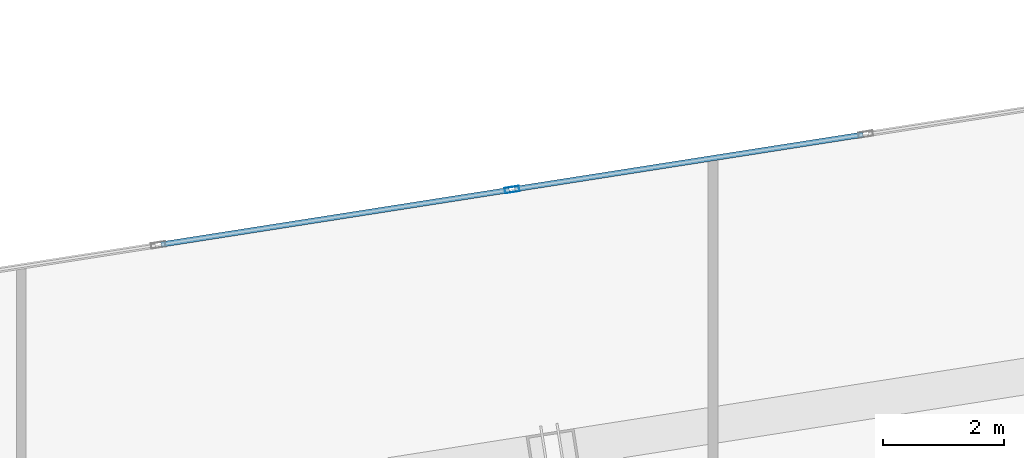
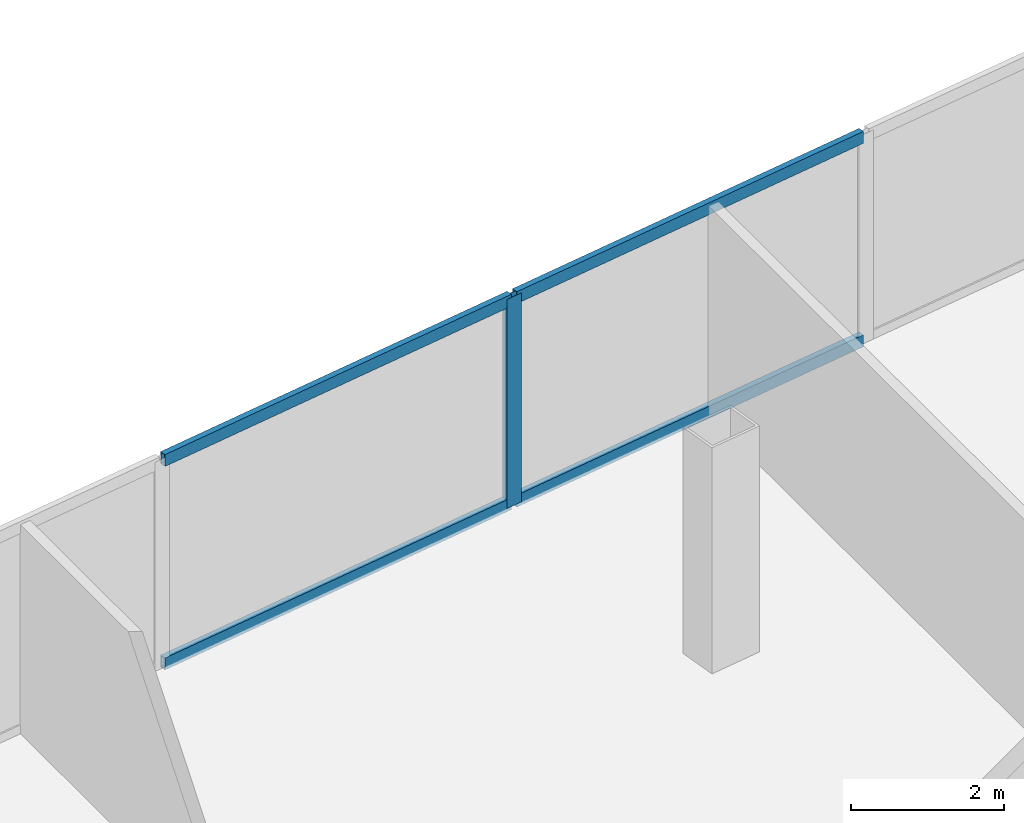
# One storey, part 11 of 17: 5 members, 1 element without a shape of its own.
"""IFC4 building model written with IfcOpenShell, lengths in metres."""

from ifc_helpers import new_model, si_unit, direction, frame, origin, origin_2d, place, context, subcontext, project, spatial, hollow_rectangle, extrude, material, material_profile, profile_set, type_object, element, aggregate, save


model = new_model("IFC4")

# Units and contexts
model_context = context("Model", 3, precision=1e-05, world=origin(), true_north=direction((0.0, 1.0)))
body_context = subcontext(model_context, "Body", "Model", "MODEL_VIEW")
ifc_project = project(units=[si_unit("LENGTHUNIT", "METRE"), si_unit("AREAUNIT", "SQUARE_METRE"), si_unit("VOLUMEUNIT", "CUBIC_METRE"), si_unit("PLANEANGLEUNIT", "RADIAN"), si_unit("MASSUNIT", "GRAM", prefix="KILO")], contexts=[model_context])

# Site, building, storey
site_placement = place(None, origin())
site = spatial("IfcSite", under=ifc_project, at=site_placement, CompositionType="ELEMENT")
building_placement = place(site_placement, origin())
building = spatial("IfcBuilding", under=site, at=building_placement, Name="Haldenkirk Collegiate Tower", CompositionType="ELEMENT")
storey_placement = place(building_placement, frame((0.0, 0.0, 364.199951171875)))
storey = spatial("IfcBuildingStorey", under=building, at=storey_placement, Name="L92", CompositionType="ELEMENT", Elevation=364.199951171875)

# Curtain wall, members
ifc_material = material(Name="Anodised architectural bronze aluminium", Category="aluminium")
curtain_wall_type = type_object("IfcCurtainWallType", Name="CW-SYS6-CROWN", PredefinedType="USERDEFINED", material=ifc_material)
curtain_wall_placement = place(storey_placement, origin())
curtain_wall = element("IfcCurtainWall", 1, at=curtain_wall_placement, inside=storey, type_object=curtain_wall_type, Name="L92 Closed crown ring ceramic-fritted bronze screen curtain wall", ObjectType="UNITISED CURTAIN WALL", PredefinedType="USERDEFINED")
ifc_material_profile_1 = material_profile(ifc_material, hollow_rectangle(XDim=0.090087890625, YDim=0.239990234375, WallThickness=0.0048828125, at=origin_2d()), Name="CW-MUL-06")
ifc_profile_set_1 = profile_set([ifc_material_profile_1], Name="Anodised architectural bronze aluminium")
member_type_1 = type_object("IfcMemberType", Name="CW-MUL-06", PredefinedType="MULLION", material=ifc_profile_set_1)
member_1_placement = place(storey_placement, frame((32.689208984375, 47.142333984375, 0.0), z_axis=(0.0, 0.0, 1.0), x_axis=(-0.154708982189, 0.987960085646, 0.0)))
member_1 = element("IfcMember", 2, at=member_1_placement, type_object=member_type_1, Name="CW-06 mullion 4", PredefinedType="MULLION", context=body_context, shape_type="SweptSolid", body=[
    extrude(hollow_rectangle(XDim=0.090087890625, YDim=0.239990234375, WallThickness=0.0048828125, at=origin_2d()), origin(), (0.0, 0.0, 1.0), 3.330078125),
])
ifc_material_profile_2 = material_profile(ifc_material, hollow_rectangle(XDim=0.090087890625, YDim=0.18994140625, WallThickness=0.0048828125, at=origin_2d()), Name="CW-TRN-06")
ifc_profile_set_2 = profile_set([ifc_material_profile_2], Name="Anodised architectural bronze aluminium")
member_type_2 = type_object("IfcMemberType", Name="CW-TRN-06", PredefinedType="USERDEFINED", material=ifc_profile_set_2)
member_2_placement = place(storey_placement, frame((26.90478515625, 46.236572265625, 0.045166015625), z_axis=(0.987958095237, 0.154721692257, 0.0), x_axis=(-0.154721692257, 0.987958095237, 0.0)))
member_2 = element("IfcMember", 3, at=member_2_placement, type_object=member_type_2, Name="CW-06 transom 3.1", ObjectType="TRANSOM", PredefinedType="USERDEFINED", context=body_context, shape_type="SweptSolid", body=[
    extrude(hollow_rectangle(XDim=0.090087890625, YDim=0.18994140625, WallThickness=0.0048828125, at=origin_2d()), origin(), (0.0, 0.0, 1.0), 5.81005859375),
])
member_3_placement = place(storey_placement, frame((26.90478515625, 46.236572265625, 3.28515625), z_axis=(0.987958095237, 0.154721692257, 0.0), x_axis=(-0.154721692257, 0.987958095237, 0.0)))
member_3 = element("IfcMember", 4, at=member_3_placement, type_object=member_type_2, Name="CW-06 transom 3.2", ObjectType="TRANSOM", PredefinedType="USERDEFINED", context=body_context, shape_type="SweptSolid", body=[
    extrude(hollow_rectangle(XDim=0.090087890625, YDim=0.18994140625, WallThickness=0.0048828125, at=origin_2d()), origin(), (0.0, 0.0, 1.0), 5.81005859375),
])
member_4_placement = place(storey_placement, frame((32.733642578125, 47.1494140625, 0.045166015625), z_axis=(0.987964517712, 0.154680676692, 0.0), x_axis=(-0.154680676692, 0.987964517712, 0.0)))
member_4 = element("IfcMember", 5, at=member_4_placement, type_object=member_type_2, Name="CW-06 transom 4.1", ObjectType="TRANSOM", PredefinedType="USERDEFINED", context=body_context, shape_type="SweptSolid", body=[
    extrude(hollow_rectangle(XDim=0.090087890625, YDim=0.18994140625, WallThickness=0.0048828125, at=origin_2d()), origin(), (0.0, 0.0, 1.0), 5.809814453125),
])
member_5_placement = place(storey_placement, frame((32.733642578125, 47.1494140625, 3.28515625), z_axis=(0.987964517712, 0.154680676692, 0.0), x_axis=(-0.154680676692, 0.987964517712, 0.0)))
member_5 = element("IfcMember", 6, at=member_5_placement, type_object=member_type_2, Name="CW-06 transom 4.2", ObjectType="TRANSOM", PredefinedType="USERDEFINED", context=body_context, shape_type="SweptSolid", body=[
    extrude(hollow_rectangle(XDim=0.090087890625, YDim=0.18994140625, WallThickness=0.0048828125, at=origin_2d()), origin(), (0.0, 0.0, 1.0), 5.809814453125),
])
aggregate(curtain_wall, [member_1, member_2, member_3, member_4, member_5])

save(model, "model.ifc")
